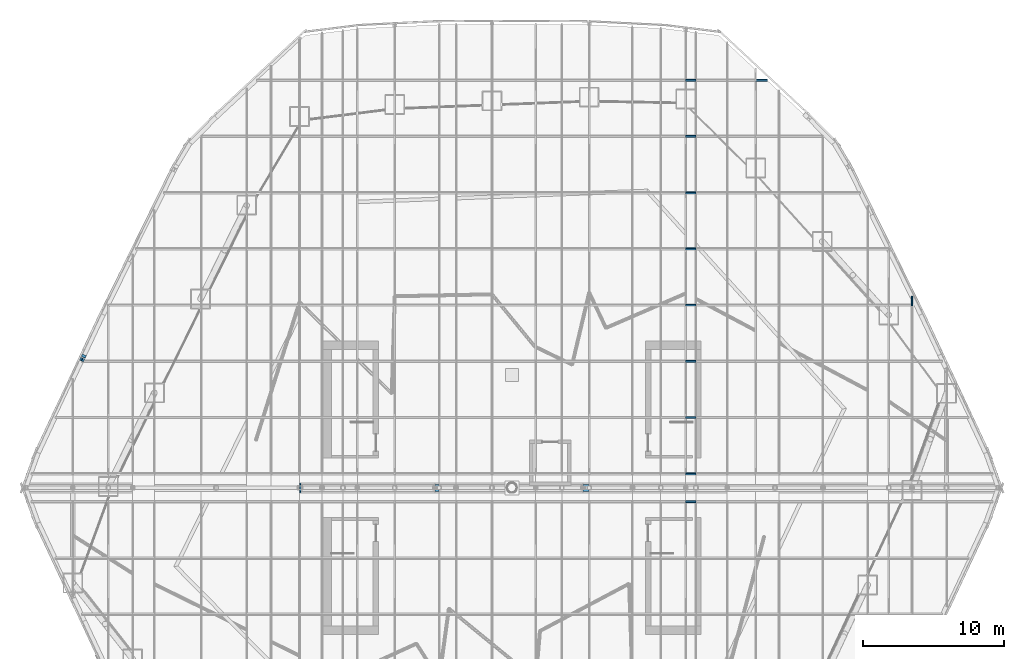
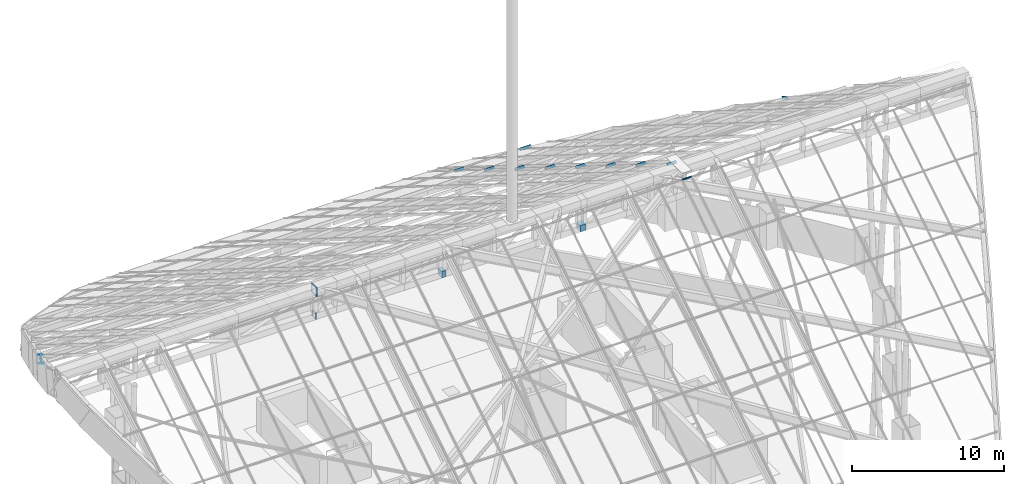
# One storey, part 25 of 38: 16 members, 10 elements without a shape of their own.
"""IFC4 building model written with IfcOpenShell, lengths in metres."""

from ifc_helpers import new_model, si_unit, direction, frame, origin, origin_2d, place, context, subcontext, project, spatial, rectangle, hollow_rectangle, i_section, extrude, material, layer, layer_set, material_profile, profile_set, type_object, element, aggregate, save


model = new_model("IFC4")

# Units and contexts
model_context = context("Model", 3, precision=1e-05, world=origin(), true_north=direction((0.0, 1.0)))
body_context = subcontext(model_context, "Body", "Model", "MODEL_VIEW")
ifc_project = project(units=[si_unit("LENGTHUNIT", "METRE"), si_unit("AREAUNIT", "SQUARE_METRE"), si_unit("VOLUMEUNIT", "CUBIC_METRE"), si_unit("PLANEANGLEUNIT", "RADIAN"), si_unit("MASSUNIT", "GRAM", prefix="KILO")], contexts=[model_context])

# Site, building, storey
site_placement = place(None, origin())
site = spatial("IfcSite", under=ifc_project, at=site_placement, CompositionType="ELEMENT")
building_placement = place(site_placement, origin())
building = spatial("IfcBuilding", under=site, at=building_placement, Name="Dongbaek Canopy Tower", CompositionType="ELEMENT")
storey_placement = place(building_placement, frame((0.0, 0.0, 375.800048828125)))
storey = spatial("IfcBuildingStorey", under=building, at=storey_placement, Name="Roof", CompositionType="ELEMENT", Elevation=375.800048828125)

# Curtain wall, member
ifc_material_1 = material(Name="Aluminium 6063-T6 pale anodised", Category="aluminium")
ifc_layer = layer(ifc_material_1, 0.199951171875)
ifc_layer_set = layer_set([ifc_layer], Name="CW-6 canopy glazing curtain wall")
curtain_wall_type = type_object("IfcCurtainWallType", Name="CW-6 canopy glazing curtain wall", PredefinedType="NOTDEFINED", material=ifc_layer_set)
curtain_wall_1_placement = place(storey_placement, origin())
curtain_wall_1 = element("IfcCurtainWall", 1, at=curtain_wall_1_placement, inside=storey, type_object=curtain_wall_type, Name="CW-6 canopy glazing north 29.4", PredefinedType="NOTDEFINED")
ifc_material_2 = material(Name="Aluminium 6063-T6 pale anodised", Category="aluminium")
ifc_material_profile_1 = material_profile(ifc_material_2, rectangle(XDim=0.080078125, YDim=0.199951171875, at=origin_2d()), Name="CW-6 mullion 80 x 200")
ifc_profile_set_1 = profile_set([ifc_material_profile_1], Name="Aluminium 6063-T6 pale anodised")
member_type_1 = type_object("IfcMemberType", Name="CW-6 mullion 80 x 200", PredefinedType="MULLION", material=ifc_profile_set_1)
member_1_placement = place(storey_placement, frame((28.35107421875, 12.958740234375, 10.626220703125), z_axis=(0.0, 0.847918502316, -0.530126601323), x_axis=(-1.0, 0.0, 0.0)))
member_1 = element("IfcMember", 2, at=member_1_placement, type_object=member_type_1, Name="CW-6 mullion N29.4.28.4", PredefinedType="MULLION", context=body_context, shape_type="SweptSolid", body=[
    extrude(rectangle(XDim=0.080078125, YDim=0.199951171875, at=origin_2d()), origin(), (0.0, 0.0, 1.0), 0.6875),
])
aggregate(curtain_wall_1, [member_1])

# Curtain wall, members
curtain_wall_2_placement = place(storey_placement, origin())
curtain_wall_2 = element("IfcCurtainWall", 3, at=curtain_wall_2_placement, inside=storey, type_object=curtain_wall_type, Name="CW-6 canopy glazing north 22.1", PredefinedType="NOTDEFINED")
ifc_material_3 = material(Name="Aluminium 6063-T6 pale anodised", Category="aluminium")
ifc_material_profile_2 = material_profile(ifc_material_3, rectangle(XDim=0.080078125, YDim=0.199951171875, at=origin_2d()), Name="CW-6 transom 80 x 200")
ifc_profile_set_2 = profile_set([ifc_material_profile_2], Name="Aluminium 6063-T6 pale anodised")
member_type_2 = type_object("IfcMemberType", Name="CW-6 transom 80 x 200", PredefinedType="USERDEFINED", material=ifc_profile_set_2)
member_2_placement = place(storey_placement, frame((12.31396484375, 1.0, 18.0986328125), z_axis=(1.0, 0.0, 0.0), x_axis=(0.0, 0.848048096156, -0.529919264233)))
member_2 = element("IfcMember", 4, at=member_2_placement, type_object=member_type_2, Name="CW-6 transom N22.1.1", ObjectType="TRANSOM", PredefinedType="USERDEFINED", context=body_context, shape_type="SweptSolid", body=[
    extrude(rectangle(XDim=0.080078125, YDim=0.199951171875, at=origin_2d()), origin(), (0.0, 0.0, 1.0), 0.721435546875),
])
member_3_placement = place(storey_placement, frame((12.31396484375, 4.986328125, 15.60791015625), z_axis=(1.0, 0.0, 0.0), x_axis=(0.0, 0.848048096156, -0.529919264233)))
member_3 = element("IfcMember", 5, at=member_3_placement, type_object=member_type_2, Name="CW-6 transom N22.1.2", ObjectType="TRANSOM", PredefinedType="USERDEFINED", context=body_context, shape_type="SweptSolid", body=[
    extrude(rectangle(XDim=0.080078125, YDim=0.199951171875, at=origin_2d()), origin(), (0.0, 0.0, 1.0), 0.721435546875),
])
aggregate(curtain_wall_2, [member_2, member_3])

# Curtain wall, member
curtain_wall_3_placement = place(storey_placement, origin())
curtain_wall_3 = element("IfcCurtainWall", 6, at=curtain_wall_3_placement, inside=storey, type_object=curtain_wall_type, Name="CW-6 canopy glazing north 22.2", PredefinedType="NOTDEFINED")
member_4_placement = place(storey_placement, frame((12.31396484375, 8.972412109375, 13.116943359375), z_axis=(1.0, 0.0, 0.0), x_axis=(0.0, 0.848048096156, -0.529919264233)))
member_4 = element("IfcMember", 7, at=member_4_placement, type_object=member_type_2, Name="CW-6 transom N22.2.3", ObjectType="TRANSOM", PredefinedType="USERDEFINED", context=body_context, shape_type="SweptSolid", body=[
    extrude(rectangle(XDim=0.080078125, YDim=0.199951171875, at=origin_2d()), origin(), (0.0, 0.0, 1.0), 0.721435546875),
])
aggregate(curtain_wall_3, [member_4])

curtain_wall_4_placement = place(storey_placement, origin())
curtain_wall_4 = element("IfcCurtainWall", 8, at=curtain_wall_4_placement, inside=storey, type_object=curtain_wall_type, Name="CW-6 canopy glazing north 22.3", PredefinedType="NOTDEFINED")
member_5_placement = place(storey_placement, frame((12.31396484375, 12.958740234375, 10.626220703125), z_axis=(1.0, 0.0, 0.0), x_axis=(0.0, 0.848048096156, -0.529919264233)))
member_5 = element("IfcMember", 9, at=member_5_placement, type_object=member_type_2, Name="CW-6 transom N22.3.4", ObjectType="TRANSOM", PredefinedType="USERDEFINED", context=body_context, shape_type="SweptSolid", body=[
    extrude(rectangle(XDim=0.080078125, YDim=0.199951171875, at=origin_2d()), origin(), (0.0, 0.0, 1.0), 0.721435546875),
])
aggregate(curtain_wall_4, [member_5])

curtain_wall_5_placement = place(storey_placement, origin())
curtain_wall_5 = element("IfcCurtainWall", 10, at=curtain_wall_5_placement, inside=storey, type_object=curtain_wall_type, Name="CW-6 canopy glazing north 22.4", PredefinedType="NOTDEFINED")
member_6_placement = place(storey_placement, frame((12.31396484375, 16.94482421875, 8.13525390625), z_axis=(1.0, 0.0, 0.0), x_axis=(0.0, 0.848048096156, -0.529919264233)))
member_6 = element("IfcMember", 11, at=member_6_placement, type_object=member_type_2, Name="CW-6 transom N22.4.5", ObjectType="TRANSOM", PredefinedType="USERDEFINED", context=body_context, shape_type="SweptSolid", body=[
    extrude(rectangle(XDim=0.080078125, YDim=0.199951171875, at=origin_2d()), origin(), (0.0, 0.0, 1.0), 0.721435546875),
])
aggregate(curtain_wall_5, [member_6])

curtain_wall_6_placement = place(storey_placement, origin())
curtain_wall_6 = element("IfcCurtainWall", 12, at=curtain_wall_6_placement, inside=storey, type_object=curtain_wall_type, Name="CW-6 canopy glazing north 22.5", PredefinedType="NOTDEFINED")
member_7_placement = place(storey_placement, frame((12.31396484375, 20.93115234375, 5.64453125), z_axis=(1.0, 0.0, 0.0), x_axis=(0.0, 0.848048096156, -0.529919264233)))
member_7 = element("IfcMember", 13, at=member_7_placement, type_object=member_type_2, Name="CW-6 transom N22.5.6", ObjectType="TRANSOM", PredefinedType="USERDEFINED", context=body_context, shape_type="SweptSolid", body=[
    extrude(rectangle(XDim=0.080078125, YDim=0.199951171875, at=origin_2d()), origin(), (0.0, 0.0, 1.0), 0.721435546875),
])
aggregate(curtain_wall_6, [member_7])

curtain_wall_7_placement = place(storey_placement, origin())
curtain_wall_7 = element("IfcCurtainWall", 14, at=curtain_wall_7_placement, inside=storey, type_object=curtain_wall_type, Name="CW-6 canopy glazing north 22.6", PredefinedType="NOTDEFINED")
member_8_placement = place(storey_placement, frame((12.31396484375, 24.917236328125, 3.153564453125), z_axis=(1.0, 0.0, 0.0), x_axis=(0.0, 0.848048096156, -0.529919264233)))
member_8 = element("IfcMember", 15, at=member_8_placement, type_object=member_type_2, Name="CW-6 transom N22.6.7", ObjectType="TRANSOM", PredefinedType="USERDEFINED", context=body_context, shape_type="SweptSolid", body=[
    extrude(rectangle(XDim=0.080078125, YDim=0.199951171875, at=origin_2d()), origin(), (0.0, 0.0, 1.0), 0.721435546875),
])
aggregate(curtain_wall_7, [member_8])

curtain_wall_8_placement = place(storey_placement, origin())
curtain_wall_8 = element("IfcCurtainWall", 16, at=curtain_wall_8_placement, inside=storey, type_object=curtain_wall_type, Name="CW-6 canopy glazing north 22.7", PredefinedType="NOTDEFINED")
member_9_placement = place(storey_placement, frame((12.31396484375, 28.903564453125, 0.662841796875), z_axis=(1.0, 0.0, 0.0), x_axis=(0.0, 0.848048096156, -0.529919264233)))
member_9 = element("IfcMember", 17, at=member_9_placement, type_object=member_type_2, Name="CW-6 transom N22.7.8", ObjectType="TRANSOM", PredefinedType="USERDEFINED", context=body_context, shape_type="SweptSolid", body=[
    extrude(rectangle(XDim=0.080078125, YDim=0.199951171875, at=origin_2d()), origin(), (0.0, 0.0, 1.0), 0.721435546875),
])
aggregate(curtain_wall_8, [member_9])

curtain_wall_9_placement = place(storey_placement, origin())
curtain_wall_9 = element("IfcCurtainWall", 18, at=curtain_wall_9_placement, inside=storey, type_object=curtain_wall_type, Name="CW-6 canopy glazing north 25.7", PredefinedType="NOTDEFINED")
member_10_placement = place(storey_placement, frame((17.27587890625, 28.903564453125, 0.662841796875), z_axis=(1.0, 0.0, 0.0), x_axis=(0.0, 0.848048096156, -0.529919264233)))
member_10 = element("IfcMember", 19, at=member_10_placement, type_object=member_type_2, Name="CW-6 transom N25.7.8", ObjectType="TRANSOM", PredefinedType="USERDEFINED", context=body_context, shape_type="SweptSolid", body=[
    extrude(rectangle(XDim=0.080078125, YDim=0.199951171875, at=origin_2d()), origin(), (0.0, 0.0, 1.0), 0.8505859375),
])
aggregate(curtain_wall_9, [member_10])

curtain_wall_10_placement = place(storey_placement, origin())
curtain_wall_10 = element("IfcCurtainWall", 20, at=curtain_wall_10_placement, inside=storey, type_object=curtain_wall_type, Name="CW-6 canopy glazing south 22.1", PredefinedType="NOTDEFINED")
member_11_placement = place(storey_placement, frame((12.31396484375, -1.0, 18.0986328125), z_axis=(1.0, 0.0, 0.0), x_axis=(0.0, 0.848048096156, 0.529919264233)))
member_11 = element("IfcMember", 21, at=member_11_placement, type_object=member_type_2, Name="CW-6 transom S22.1.1", ObjectType="TRANSOM", PredefinedType="USERDEFINED", context=body_context, shape_type="SweptSolid", body=[
    extrude(rectangle(XDim=0.080078125, YDim=0.199951171875, at=origin_2d()), origin(), (0.0, 0.0, 1.0), 0.721435546875),
])
aggregate(curtain_wall_10, [member_11])

# Members
ifc_material_4 = material(Name="Steel S355", Category="steel")
ifc_material_profile_3 = material_profile(ifc_material_4, i_section(OverallWidth=0.300048828125, OverallDepth=0.587890625, WebThickness=0.011962890625, FlangeThickness=0.02001953125, FilletRadius=0.028076171875, at=origin_2d()), Name="EAVES BEAM H 588x300x12x20 Steel S355")
ifc_profile_set_3 = profile_set([ifc_material_profile_3], Name="Steel S355")
member_type_3 = type_object("IfcMemberType", Name="EAVES BEAM H 588x300x12x20 Steel S355", PredefinedType="MEMBER", material=ifc_profile_set_3)
member_12_placement = place(storey_placement, frame((-30.372314453125, 9.2958984375, 12.443115234375), z_axis=(-0.368279069569, -0.78852389742, 0.492545013288), x_axis=(0.906050446279, -0.423169692675, 0.0)))
element("IfcMember", 22, at=member_12_placement, inside=storey, type_object=member_type_3, Name="EAVE:59", PredefinedType="MEMBER", context=body_context, shape_type="SweptSolid", body=[
    extrude(i_section(OverallWidth=0.300048828125, OverallDepth=0.587890625, WebThickness=0.011962890625, FlangeThickness=0.02001953125, FilletRadius=0.028076171875, at=origin_2d()), origin(), (0.0, 0.0, 1.0), 0.216064453125),
])
ifc_material_5 = material(Name="Steel S355", Category="steel")
ifc_material_profile_4 = material_profile(ifc_material_5, hollow_rectangle(XDim=0.699951171875, YDim=0.699951171875, WallThickness=0.035888671875, at=origin_2d()), Name="RIDGE BEAM BOX 700x700x36 Steel S355")
ifc_profile_set_4 = profile_set([ifc_material_profile_4], Name="Steel S355")
member_type_4 = type_object("IfcMemberType", Name="RIDGE BEAM BOX 700x700x36 Steel S355", PredefinedType="MEMBER", material=ifc_profile_set_4)
member_13_placement = place(storey_placement, frame((-15.06201171875, 0.0, 18.251708984375), z_axis=(1.0, 0.0, 0.0), x_axis=(0.0, 1.0, 0.0)))
element("IfcMember", 23, at=member_13_placement, inside=storey, type_object=member_type_4, Name="RIDGE:05", PredefinedType="MEMBER", context=body_context, shape_type="SweptSolid", body=[
    extrude(hollow_rectangle(XDim=0.699951171875, YDim=0.699951171875, WallThickness=0.035888671875, at=origin_2d()), origin(), (0.0, 0.0, 1.0), 0.097412109375),
])
ifc_material_6 = material(Name="Steel S355", Category="steel")
ifc_material_profile_5 = material_profile(ifc_material_6, hollow_rectangle(XDim=0.5, YDim=0.5, WallThickness=0.030029296875, at=origin_2d()), Name="RIDGE LOWER CHORD BOX 500x500x30 Steel S355")
ifc_profile_set_5 = profile_set([ifc_material_profile_5], Name="Steel S355")
member_type_5 = type_object("IfcMemberType", Name="RIDGE LOWER CHORD BOX 500x500x30 Steel S355", PredefinedType="CHORD", material=ifc_profile_set_5)
member_14_placement = place(storey_placement, frame((-15.06201171875, 0.0, 16.251708984375), z_axis=(1.0, 0.0, 0.0), x_axis=(0.0, 1.0, 0.0)))
element("IfcMember", 24, at=member_14_placement, inside=storey, type_object=member_type_5, Name="RIDGELOW:05", PredefinedType="CHORD", context=body_context, shape_type="SweptSolid", body=[
    extrude(hollow_rectangle(XDim=0.5, YDim=0.5, WallThickness=0.030029296875, at=origin_2d()), origin(), (0.0, 0.0, 1.0), 0.097412109375),
])
member_15_placement = place(storey_placement, frame((-5.464599609375, 0.0, 16.251708984375), z_axis=(1.0, 0.0, 0.0), x_axis=(0.0, 1.0, 0.0)))
element("IfcMember", 25, at=member_15_placement, inside=storey, type_object=member_type_5, Name="RIDGELOW:11", PredefinedType="CHORD", context=body_context, shape_type="SweptSolid", body=[
    extrude(hollow_rectangle(XDim=0.5, YDim=0.5, WallThickness=0.030029296875, at=origin_2d()), origin(), (0.0, 0.0, 1.0), 0.298583984375),
])
member_16_placement = place(storey_placement, frame((5.035400390625, 0.0, 16.251708984375), z_axis=(1.0, 0.0, 0.0), x_axis=(0.0, 1.0, 0.0)))
element("IfcMember", 26, at=member_16_placement, inside=storey, type_object=member_type_5, Name="RIDGELOW:17", PredefinedType="CHORD", context=body_context, shape_type="SweptSolid", body=[
    extrude(hollow_rectangle(XDim=0.5, YDim=0.5, WallThickness=0.030029296875, at=origin_2d()), origin(), (0.0, 0.0, 1.0), 0.435546875),
])

save(model, "model.ifc")
